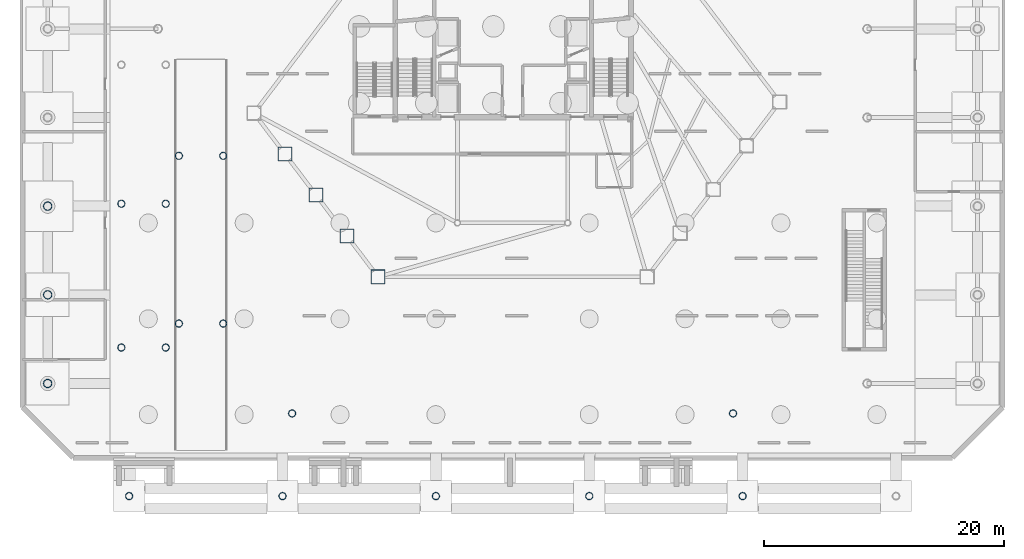
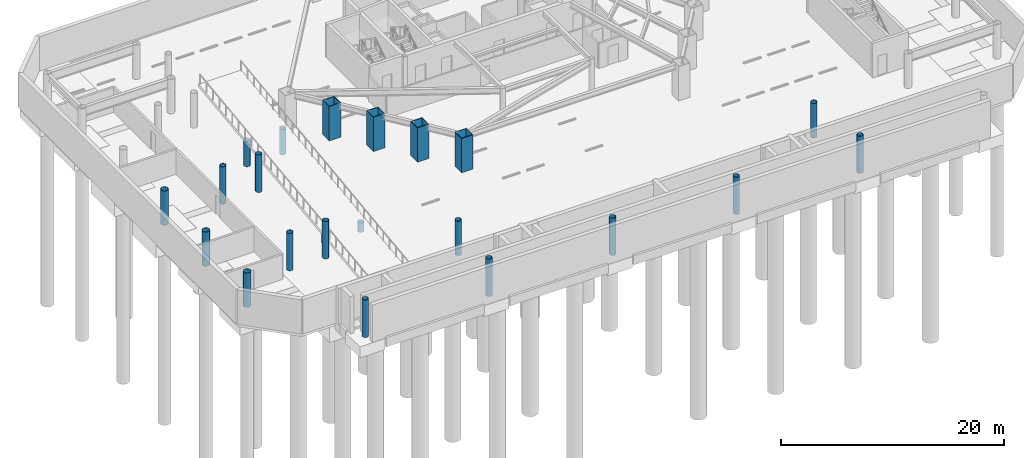
# One storey, part 3 of 19: 22 columns.
"""IFC4 building model written with IfcOpenShell, lengths in metres."""

from ifc_helpers import new_model, si_unit, direction, frame, origin, origin_2d, place, context, subcontext, project, spatial, hollow_rectangle, hollow_circle, extrude, material, material_profile, profile_set, type_object, element, save


model = new_model("IFC4")

# Units and contexts
model_context = context("Model", 3, precision=1e-05, world=origin(), true_north=direction((0.0, 1.0)))
body_context = subcontext(model_context, "Body", "Model", "MODEL_VIEW")
ifc_project = project(units=[si_unit("LENGTHUNIT", "METRE"), si_unit("AREAUNIT", "SQUARE_METRE"), si_unit("VOLUMEUNIT", "CUBIC_METRE"), si_unit("PLANEANGLEUNIT", "RADIAN"), si_unit("MASSUNIT", "GRAM", prefix="KILO")], contexts=[model_context])

# Site, building, storey
site_placement = place(None, origin())
site = spatial("IfcSite", under=ifc_project, at=site_placement, CompositionType="ELEMENT")
building_placement = place(site_placement, origin())
building = spatial("IfcBuilding", under=site, at=building_placement, Name="Zarrinselat Tower", CompositionType="ELEMENT")
storey_placement = place(building_placement, frame((0.0, 0.0, -8.159912109375)))
storey = spatial("IfcBuildingStorey", under=building, at=storey_placement, Name="B02", CompositionType="ELEMENT", Elevation=-8.159912109375)

# Columns
ifc_material_1 = material(Name="Steel S355J2", Category="steel")
ifc_material_profile_1 = material_profile(ifc_material_1, hollow_circle(Radius=0.304931640625, WallThickness=0.02490234375, at=origin_2d()), Name="CHS 610x25")
ifc_profile_set_1 = profile_set([ifc_material_profile_1], Name="Steel S355J2")
column_type_1 = type_object("IfcColumnType", Name="COL-CHS610", PredefinedType="COLUMN", material=ifc_profile_set_1)
for number, where, z_axis, x_axis, name in (
    (1, (6.39990234375, 1.60009765625, 0.0), (0.0, 0.0, 1.0), (1.0, 0.0, 0.0), "B02 Forecourt Plaza Pier 1"),
    (2, (19.199951171875, 1.60009765625, 0.0), (0.0, 0.0, 1.0), (1.0, 0.0, 0.0), "B02 Forecourt Plaza Pier 2"),
    (3, (32.0, 1.60009765625, 0.0), (0.0, 0.0, 1.0), (1.0, 0.0, 0.0), "B02 Forecourt Plaza Pier 3"),
    (4, (44.800048828125, 1.60009765625, 0.0), (0.0, 0.0, 1.0), (1.0, 0.0, 0.0), "B02 Forecourt Plaza Pier 4"),
    (5, (57.60009765625, 1.60009765625, 0.0), (0.0, 0.0, 1.0), (1.0, 0.0, 0.0), "B02 Forecourt Plaza Pier 5"),
):
    element("IfcColumn", number, at=place(storey_placement, frame(where, z_axis=z_axis, x_axis=x_axis)), inside=storey, type_object=column_type_1, Name=name, PredefinedType="COLUMN", context=body_context, shape_type="SweptSolid", body=[
        extrude(hollow_circle(Radius=0.304931640625, WallThickness=0.02490234375, at=origin_2d()), origin(), (0.0, 0.0, 1.0), 4.079833984375),
    ])
for number, where, z_axis, x_axis, name in (
    (6, (20.0, 8.5, 0.0), (0.0, 0.0, 1.0), (1.0, 0.0, 0.0), "B02 Garden Deck Support Column 1"),
    (7, (56.800048828125, 8.5, 0.0), (0.0, 0.0, 1.0), (1.0, 0.0, 0.0), "B02 Garden Deck Support Column 2"),
):
    element("IfcColumn", number, at=place(storey_placement, frame(where, z_axis=z_axis, x_axis=x_axis)), inside=storey, type_object=column_type_1, Name=name, PredefinedType="COLUMN", context=body_context, shape_type="SweptSolid", body=[
        extrude(hollow_circle(Radius=0.304931640625, WallThickness=0.02490234375, at=origin_2d()), origin(), (0.0, 0.0, 1.0), 3.760009765625),
    ])
for number, where, z_axis, x_axis, name in (
    (8, (10.550048828125, 16.0, 0.0), (0.0, 0.0, 1.0), (1.0, 0.0, 0.0), "B02 Vehicle Ramp R1 Support Pier 1"),
    (9, (14.25, 16.0, 0.0), (0.0, 0.0, 1.0), (1.0, 0.0, 0.0), "B02 Vehicle Ramp R1 Support Pier 2"),
):
    element("IfcColumn", number, at=place(storey_placement, frame(where, z_axis=z_axis, x_axis=x_axis)), inside=storey, type_object=column_type_1, Name=name, PredefinedType="COLUMN", context=body_context, shape_type="SweptSolid", body=[
        extrude(hollow_circle(Radius=0.304931640625, WallThickness=0.02490234375, at=origin_2d()), origin(), (0.0, 0.0, 1.0), 1.02294921875),
    ])
for number, where, z_axis, x_axis, name in (
    (10, (10.550048828125, 30.0, 0.0), (0.0, 0.0, 1.0), (1.0, 0.0, 0.0), "B02 Vehicle Ramp R1 Support Pier 3"),
    (11, (14.25, 30.0, 0.0), (0.0, 0.0, 1.0), (1.0, 0.0, 0.0), "B02 Vehicle Ramp R1 Support Pier 4"),
):
    element("IfcColumn", number, at=place(storey_placement, frame(where, z_axis=z_axis, x_axis=x_axis)), inside=storey, type_object=column_type_1, Name=name, PredefinedType="COLUMN", context=body_context, shape_type="SweptSolid", body=[
        extrude(hollow_circle(Radius=0.304931640625, WallThickness=0.02490234375, at=origin_2d()), origin(), (0.0, 0.0, 1.0), 2.77294921875),
    ])
for number, where, z_axis, x_axis, name in (
    (12, (5.75, 14.0, 0.0), (0.0, 0.0, 1.0), (1.0, 0.0, 0.0), "B02 Vehicle Ramp R2 Substructure Pier 1"),
    (13, (9.449951171875, 14.0, 0.0), (0.0, 0.0, 1.0), (1.0, 0.0, 0.0), "B02 Vehicle Ramp R2 Substructure Pier 2"),
    (14, (5.75, 26.0, 0.0), (0.0, 0.0, 1.0), (1.0, 0.0, 0.0), "B02 Vehicle Ramp R2 Substructure Pier 3"),
    (15, (9.449951171875, 26.0, 0.0), (0.0, 0.0, 1.0), (1.0, 0.0, 0.0), "B02 Vehicle Ramp R2 Substructure Pier 4"),
):
    element("IfcColumn", number, at=place(storey_placement, frame(where, z_axis=z_axis, x_axis=x_axis)), inside=storey, type_object=column_type_1, Name=name, PredefinedType="COLUMN", context=body_context, shape_type="SweptSolid", body=[
        extrude(hollow_circle(Radius=0.304931640625, WallThickness=0.02490234375, at=origin_2d()), origin(), (0.0, 0.0, 1.0), 4.079833984375),
    ])
ifc_material_2 = material(Name="Steel S460M", Category="steel")
ifc_material_profile_2 = material_profile(ifc_material_2, hollow_circle(Radius=0.35546875, WallThickness=0.030029296875, at=origin_2d()), Name="CHS 711x30")
ifc_profile_set_2 = profile_set([ifc_material_profile_2], Name="Steel S460M")
column_type_2 = type_object("IfcColumnType", Name="COL-CHS711", PredefinedType="COLUMN", material=ifc_profile_set_2)
for number, where, z_axis, x_axis, name in (
    (16, (-0.39990234375, 11.0, 0.0), (0.0, 0.0, 1.0), (1.0, 0.0, 0.0), "B02 Lower Podium Column 01"),
    (17, (-0.39990234375, 18.39990234375, 0.0), (0.0, 0.0, 1.0), (1.0, 0.0, 0.0), "B02 Lower Podium Column 02"),
    (18, (-0.39990234375, 25.800048828125, 0.0), (0.0, 0.0, 1.0), (1.0, 0.0, 0.0), "B02 Lower Podium Column 03"),
):
    element("IfcColumn", number, at=place(storey_placement, frame(where, z_axis=z_axis, x_axis=x_axis)), inside=storey, type_object=column_type_2, Name=name, PredefinedType="COLUMN", context=body_context, shape_type="SweptSolid", body=[
        extrude(hollow_circle(Radius=0.35546875, WallThickness=0.030029296875, at=origin_2d()), origin(), (0.0, 0.0, 1.0), 3.760009765625),
    ])
ifc_material_3 = material(Name="Steel S460M", Category="steel")
ifc_material_profile_3 = material_profile(ifc_material_3, hollow_rectangle(XDim=1.199951171875, YDim=1.199951171875, WallThickness=0.06005859375, at=origin_2d()), Name="SHS 1200x1200x60")
ifc_profile_set_3 = profile_set([ifc_material_profile_3], Name="Steel S460M")
column_type_3 = type_object("IfcColumnType", Name="COL-SHS1200", PredefinedType="COLUMN", material=ifc_profile_set_3)
for number, where, z_axis, x_axis, name in (
    (19, (19.40478515625, 30.14990234375, 0.0), (0.0, 0.0, 1.0), (1.0, 0.0, 0.0), "B02 Framed-Tube Column T07"),
    (20, (21.994384765625, 26.73193359375, 0.0), (0.0, 0.0, 1.0), (1.0, 0.0, 0.0), "B02 Framed-Tube Column T08"),
    (21, (24.58349609375, 23.31396484375, 0.0), (0.0, 0.0, 1.0), (1.0, 0.0, 0.0), "B02 Framed-Tube Column T09"),
    (22, (27.173095703125, 19.89599609375, 0.0), (0.0, 0.0, 1.0), (1.0, 0.0, 0.0), "B02 Framed-Tube Column T10"),
):
    element("IfcColumn", number, at=place(storey_placement, frame(where, z_axis=z_axis, x_axis=x_axis)), inside=storey, type_object=column_type_3, Name=name, PredefinedType="COLUMN", context=body_context, shape_type="SweptSolid", body=[
        extrude(hollow_rectangle(XDim=1.199951171875, YDim=1.199951171875, WallThickness=0.06005859375, at=origin_2d()), origin(), (0.0, 0.0, 1.0), 3.760009765625),
    ])

save(model, "model.ifc")
